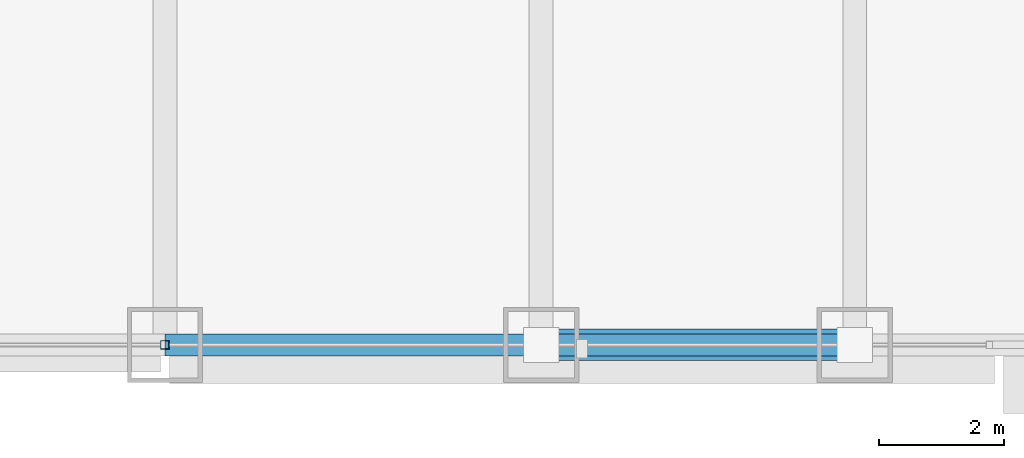
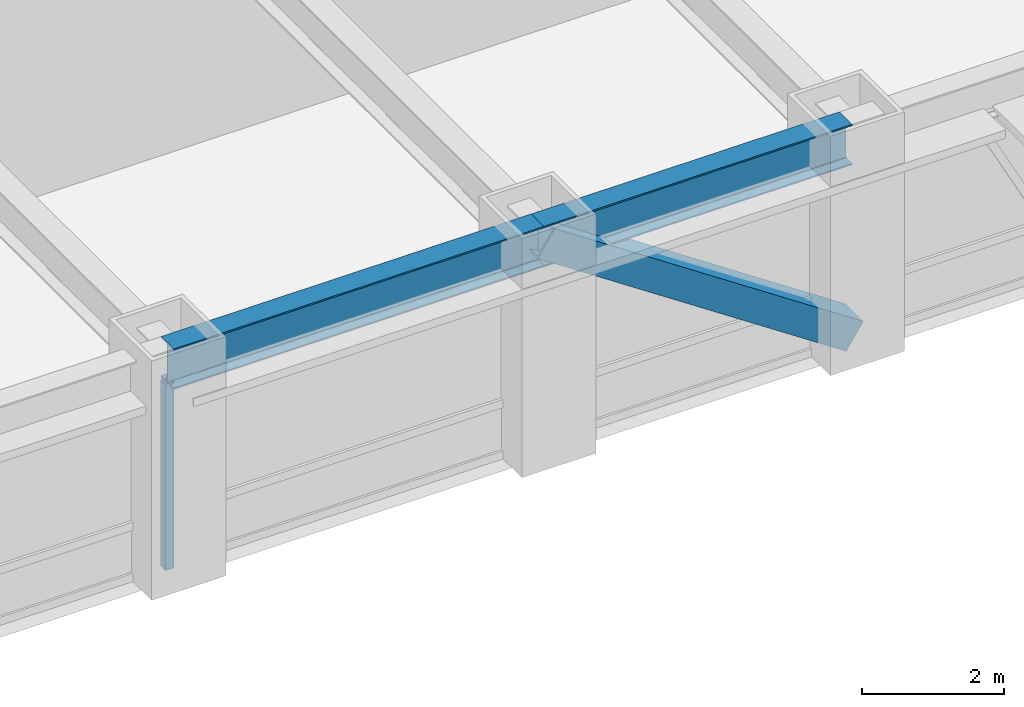
# One storey, part 4 of 32: 2 beams, 2 members, 1 element without a shape of its own.
"""IFC4 building model written with IfcOpenShell, lengths in metres."""

from ifc_helpers import new_model, si_unit, direction, frame, origin, origin_2d, place, context, subcontext, project, spatial, hollow_rectangle, i_section, extrude, source, transform, mapped, material, material_profile, profile_set, type_object, element, aggregate, save


model = new_model("IFC4")

# Units and contexts
model_context = context("Model", 3, precision=1e-05, world=origin(), true_north=direction((0.0, 1.0)))
body_context = subcontext(model_context, "Body", "Model", "MODEL_VIEW")
ifc_project = project(units=[si_unit("LENGTHUNIT", "METRE"), si_unit("AREAUNIT", "SQUARE_METRE"), si_unit("VOLUMEUNIT", "CUBIC_METRE"), si_unit("PLANEANGLEUNIT", "RADIAN"), si_unit("MASSUNIT", "GRAM", prefix="KILO")], contexts=[model_context])

# Site, building, storey
site_placement = place(None, origin())
site = spatial("IfcSite", under=ifc_project, at=site_placement, CompositionType="ELEMENT")
building_placement = place(site_placement, origin())
building = spatial("IfcBuilding", under=site, at=building_placement, Name="Khorayat Bourse Tower", CompositionType="ELEMENT")
storey_placement = place(building_placement, frame((0.0, 0.0, 91.39990234375)))
storey = spatial("IfcBuildingStorey", under=building, at=storey_placement, Name="L20", CompositionType="ELEMENT", Elevation=91.39990234375)

# Beams
ifc_material_1 = material(Name="Steel ASTM A992 Grade 50", Category="steel")
ifc_material_profile_1 = material_profile(ifc_material_1, i_section(OverallWidth=0.35498046875, OverallDepth=0.695068359375, WebThickness=0.015380859375, FlangeThickness=0.02490234375, FilletRadius=0.01806640625, at=origin_2d()), Name="W690X217")
ifc_profile_set_1 = profile_set([ifc_material_profile_1], Name="Steel ASTM A992 Grade 50")
beam_type = type_object("IfcBeamType", Name="BM-SPAN-690", PredefinedType="SPANDREL", material=ifc_profile_set_1)
shared_shape_1 = source(origin(), body_context, "Body", "SweptSolid", [
    extrude(i_section(OverallWidth=0.35498046875, OverallDepth=0.695068359375, WebThickness=0.015380859375, FlangeThickness=0.02490234375, FilletRadius=0.01806640625, at=origin_2d()), origin(), (0.0, 0.0, 1.0), 5.0),
])
beam_1_placement = place(storey_placement, frame((6.0, -32.0, 3.49267578125), z_axis=(1.0, 0.0, 0.0), x_axis=(0.0, 1.0, 0.0)))
element("IfcBeam", 1, at=beam_1_placement, inside=storey, type_object=beam_type, Name="L20 BM-SPAN-690 BM-L20-SPN-029", PredefinedType="SPANDREL", context=body_context, shape_type="MappedRepresentation", body=[
    mapped(shared_shape_1, transform((0.0, 0.0, 0.0), scale=1.0)),
])
shared_shape_2 = source(origin(), body_context, "Body", "SweptSolid", [
    extrude(i_section(OverallWidth=0.35498046875, OverallDepth=0.695068359375, WebThickness=0.015380859375, FlangeThickness=0.02490234375, FilletRadius=0.01806640625, at=origin_2d()), origin(), (0.0, 0.0, 1.0), 6.0),
])
beam_2_placement = place(storey_placement, frame((0.0, -32.0, 3.49267578125), z_axis=(1.0, 0.0, 0.0), x_axis=(0.0, 1.0, 0.0)))
element("IfcBeam", 2, at=beam_2_placement, inside=storey, type_object=beam_type, Name="L20 BM-SPAN-690 BM-L20-SPN-028", PredefinedType="SPANDREL", context=body_context, shape_type="MappedRepresentation", body=[
    mapped(shared_shape_2, transform((0.0, 0.0, 0.0), scale=1.0)),
])

# Member
ifc_material_2 = material(Name="Steel EN 10025-4 S460M", Category="steel")
ifc_material_profile_2 = material_profile(ifc_material_2, hollow_rectangle(XDim=0.5, YDim=0.5, WallThickness=0.028076171875, at=origin_2d()), Name="HSS 500x500x28")
ifc_profile_set_2 = profile_set([ifc_material_profile_2], Name="Steel EN 10025-4 S460M")
member_type_1 = type_object("IfcMemberType", Name="MBR-TUBE-500", PredefinedType="BRACE", material=ifc_profile_set_2)
shared_shape_3 = source(origin(), body_context, "Body", "SweptSolid", [
    extrude(hollow_rectangle(XDim=0.5, YDim=0.5, WallThickness=0.028076171875, at=origin_2d()), origin(), (0.0, 0.0, 1.0), 6.012939453125),
])
member_1_placement = place(storey_placement, frame((6.0, -32.0, 3.590087890625), z_axis=(0.831531473026, 0.0, -0.555477640745), x_axis=(0.0, 1.0, 0.0)))
element("IfcMember", 3, at=member_1_placement, inside=storey, type_object=member_type_1, Name="L20 Perimeter Tube Brace 02", PredefinedType="BRACE", context=body_context, shape_type="MappedRepresentation", body=[
    mapped(shared_shape_3, transform((0.0, 0.0, 0.0), scale=1.0)),
])

# Curtain wall, member
ifc_material_3 = material(Name="Aluminium EN AW-6063 T6", Category="aluminium")
curtain_wall_type = type_object("IfcCurtainWallType", Name="CW-SYS-02", PredefinedType="NOTDEFINED", material=ifc_material_3)
curtain_wall_placement = place(storey_placement, origin())
curtain_wall = element("IfcCurtainWall", 4, at=curtain_wall_placement, inside=storey, type_object=curtain_wall_type, Name="L20 Curtain Wall CW-L20-S1", PredefinedType="NOTDEFINED")
ifc_material_profile_3 = material_profile(ifc_material_3, hollow_rectangle(XDim=0.139892578125, YDim=0.139892578125, WallThickness=0.006103515625, at=origin_2d()), Name="ALU 140x140x6")
ifc_profile_set_3 = profile_set([ifc_material_profile_3], Name="Aluminium EN AW-6063 T6")
member_type_2 = type_object("IfcMemberType", Name="CWM-VERT-140", PredefinedType="MULLION", material=ifc_profile_set_3)
shared_shape_4 = source(origin(), body_context, "Body", "SweptSolid", [
    extrude(hollow_rectangle(XDim=0.139892578125, YDim=0.139892578125, WallThickness=0.006103515625, at=origin_2d()), origin(), (0.0, 0.0, 1.0), 3.190185546875),
])
member_2_placement = place(storey_placement, frame((0.0, -32.0, 0.0), z_axis=(0.0, 0.0, 1.0), x_axis=(0.0, 1.0, 0.0)))
member_2 = element("IfcMember", 5, at=member_2_placement, type_object=member_type_2, Name="CW-L20-S1 Vertical Mullion 2", PredefinedType="MULLION", context=body_context, shape_type="MappedRepresentation", body=[
    mapped(shared_shape_4, transform((0.0, 0.0, 0.0), scale=1.0)),
])
aggregate(curtain_wall, [member_2])

save(model, "model.ifc")
